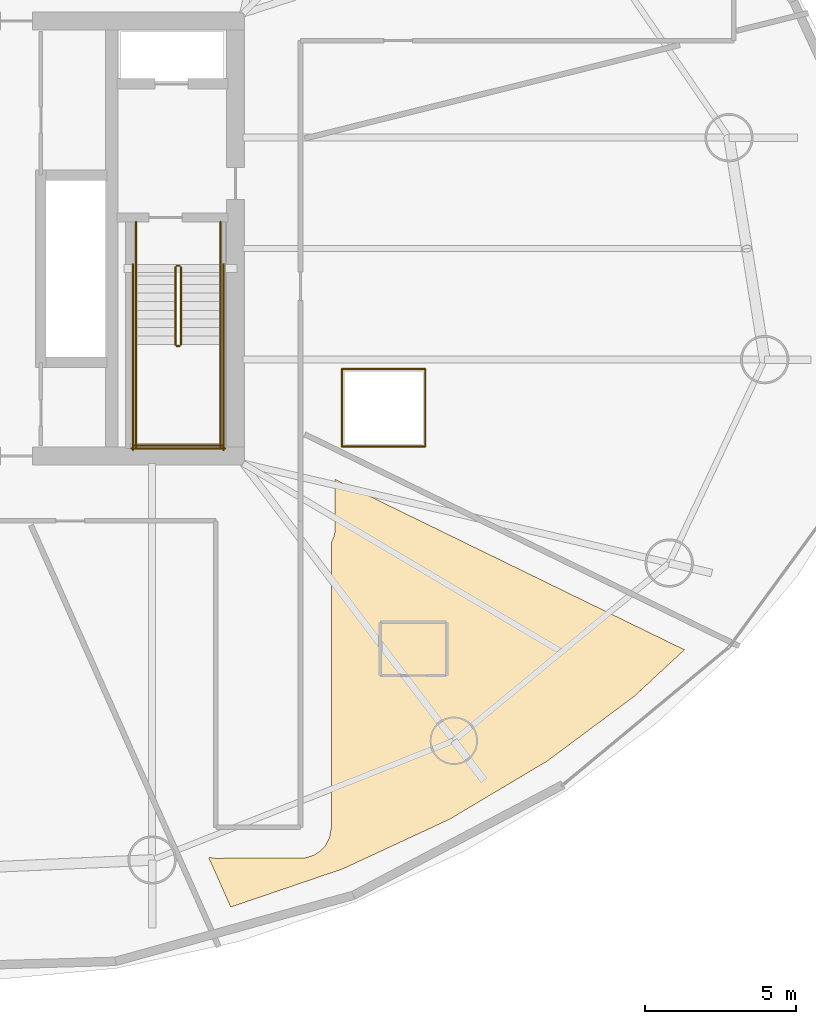
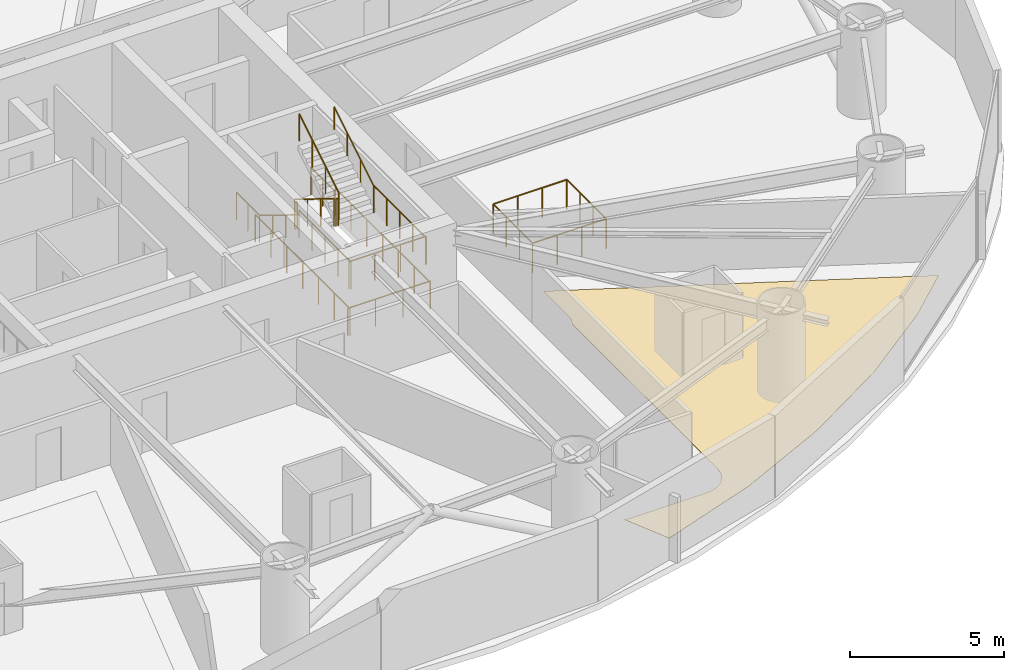
# One storey, part 19 of 20: 18 railings, 1 covering.
"""IFC4 building model written with IfcOpenShell, lengths in metres."""

from ifc_helpers import new_model, si_unit, direction, frame, origin, origin_2d, place, context, subcontext, project, spatial, polyline, circle, outline, extrude, material, layer, layer_set, type_object, element, save


model = new_model("IFC4")

# Units and contexts
model_context = context("Model", 3, precision=1e-05, world=origin(), true_north=direction((0.0, 1.0)))
body_context = subcontext(model_context, "Body", "Model", "MODEL_VIEW")
ifc_project = project(units=[si_unit("LENGTHUNIT", "METRE"), si_unit("AREAUNIT", "SQUARE_METRE"), si_unit("VOLUMEUNIT", "CUBIC_METRE"), si_unit("PLANEANGLEUNIT", "RADIAN"), si_unit("MASSUNIT", "GRAM", prefix="KILO")], contexts=[model_context])

# Site, building, storey
site_placement = place(None, origin())
site = spatial("IfcSite", under=ifc_project, at=site_placement, CompositionType="ELEMENT")
building_placement = place(site_placement, origin())
building = spatial("IfcBuilding", under=site, at=building_placement, Name="Bramvorn Convention Spire", CompositionType="ELEMENT")
storey_placement = place(building_placement, frame((0.0, 0.0, 58.89990234375)))
storey = spatial("IfcBuildingStorey", under=building, at=storey_placement, Name="L12", CompositionType="ELEMENT", Elevation=58.89990234375)

# Covering
ifc_material_1 = material(Name="Solution-Dyed Wool Broadloom Hospitality Carpet", Category="textile")
ifc_layer = layer(ifc_material_1, 0.014892578125)
ifc_layer_set = layer_set([ifc_layer], Name="Solution-Dyed Wool Broadloom Hospitality Carpet - FLR-CARPET-15")
covering_type = type_object("IfcCoveringType", Name="FLR-CARPET-15", PredefinedType="FLOORING", material=ifc_layer_set)
covering_placement = place(storey_placement, origin())
element("IfcCovering", 1, at=covering_placement, inside=storey, type_object=covering_type, Name="Hotel Suite 1209 wool broadloom carpet", PredefinedType="FLOORING", context=body_context, shape_type="SweptSolid", body=[
    extrude(outline(polyline([(48.83984375, 3.865966796875), (52.552001953125, 5.129638671875), (56.081787109375, 6.76953125), (59.31689453125, 8.69677734375), (62.193603515625, 10.836181640625), (63.86279296875, 12.384521484375), (52.300048828125, 18.024169921875), (52.295654296875, 16.311767578125), (52.26123046875, 16.138671875), (52.169921875, 15.936279296875), (52.169921875, 6.5), (52.1123046875, 6.162109375), (51.97265625, 5.897216796875), (51.83056640625, 5.740478515625), (51.59130859375, 5.58056640625), (51.305419921875, 5.491943359375), (48.35009765625, 5.47998046875), (48.1083984375, 5.50927734375), (48.83984375, 3.865966796875)])), origin(), (0.0, 0.0, 1.0), 0.01513671875),
])

# Railings
ifc_material_2 = material(Name="Warm Bronze Perforated Metal & Glass Balustrade", Category="glass")
railing_type_1 = type_object("IfcRailingType", Name="RL-POD-BALUSTRADE-1200", PredefinedType="BALUSTRADE", material=ifc_material_2)
railing_1_placement = place(storey_placement, frame((52.52001953125, 19.1201171875, 0.0)))
element("IfcRailing", 2, at=railing_1_placement, inside=storey, type_object=railing_type_1, Name="L12 Feature atrium void balustrade 1", PredefinedType="BALUSTRADE", context=body_context, shape_type="SweptSolid", body=[
    extrude(circle(Radius=0.02392578125, at=origin_2d()), frame((0.0, 0.0, 1.17578125), z_axis=(1.0, 0.0, 0.0), x_axis=(0.0, 1.0, 0.0)), (0.0, 0.0, 1.0), 2.760009765625),
    extrude(circle(Radius=0.02099609375, at=origin_2d()), origin(), (0.0, 0.0, 1.0), 1.15185546875),
    extrude(circle(Radius=0.02099609375, at=origin_2d()), frame((0.919921875, 0.0, 0.0)), (0.0, 0.0, 1.0), 1.15185546875),
    extrude(circle(Radius=0.02099609375, at=origin_2d()), frame((1.840087890625, 0.0, 0.0)), (0.0, 0.0, 1.0), 1.15185546875),
    extrude(circle(Radius=0.02099609375, at=origin_2d()), frame((2.760009765625, 0.0, 0.0)), (0.0, 0.0, 1.0), 1.15185546875),
])
railing_2_placement = place(storey_placement, frame((55.280029296875, 19.1201171875, 0.0)))
element("IfcRailing", 3, at=railing_2_placement, inside=storey, type_object=railing_type_1, Name="L12 Feature atrium void balustrade 2", PredefinedType="BALUSTRADE", context=body_context, shape_type="SweptSolid", body=[
    extrude(circle(Radius=0.02392578125, at=origin_2d()), frame((0.0, 0.0, 1.17578125), z_axis=(0.0, 1.0, 0.0), x_axis=(-1.0, 0.0, 0.0)), (0.0, 0.0, 1.0), 2.559814453125),
    extrude(circle(Radius=0.02099609375, at=origin_2d()), origin(), (0.0, 0.0, 1.0), 1.15185546875),
    extrude(circle(Radius=0.02099609375, at=origin_2d()), frame((0.0, 0.853271484375, 0.0)), (0.0, 0.0, 1.0), 1.15185546875),
    extrude(circle(Radius=0.02099609375, at=origin_2d()), frame((0.0, 1.70654296875, 0.0)), (0.0, 0.0, 1.0), 1.15185546875),
    extrude(circle(Radius=0.02099609375, at=origin_2d()), frame((0.0, 2.559814453125, 0.0)), (0.0, 0.0, 1.0), 1.15185546875),
])
railing_3_placement = place(storey_placement, frame((55.280029296875, 21.679931640625, 0.0)))
element("IfcRailing", 4, at=railing_3_placement, inside=storey, type_object=railing_type_1, Name="L12 Feature atrium void balustrade 3", PredefinedType="BALUSTRADE", context=body_context, shape_type="SweptSolid", body=[
    extrude(circle(Radius=0.02392578125, at=origin_2d()), frame((0.0, 0.0, 1.17578125), z_axis=(-1.0, 0.0, 0.0), x_axis=(0.0, -1.0, 0.0)), (0.0, 0.0, 1.0), 2.760009765625),
    extrude(circle(Radius=0.02099609375, at=origin_2d()), origin(), (0.0, 0.0, 1.0), 1.15185546875),
    extrude(circle(Radius=0.02099609375, at=origin_2d()), frame((-0.919921875, 0.0, 0.0)), (0.0, 0.0, 1.0), 1.15185546875),
    extrude(circle(Radius=0.02099609375, at=origin_2d()), frame((-1.840087890625, 0.0, 0.0)), (0.0, 0.0, 1.0), 1.15185546875),
    extrude(circle(Radius=0.02099609375, at=origin_2d()), frame((-2.760009765625, 0.0, 0.0)), (0.0, 0.0, 1.0), 1.15185546875),
])
railing_4_placement = place(storey_placement, frame((52.52001953125, 21.679931640625, 0.0)))
element("IfcRailing", 5, at=railing_4_placement, inside=storey, type_object=railing_type_1, Name="L12 Feature atrium void balustrade 4", PredefinedType="BALUSTRADE", context=body_context, shape_type="SweptSolid", body=[
    extrude(circle(Radius=0.02392578125, at=origin_2d()), frame((0.0, 0.0, 1.17578125), z_axis=(0.0, -1.0, 0.0), x_axis=(1.0, 0.0, 0.0)), (0.0, 0.0, 1.0), 2.559814453125),
    extrude(circle(Radius=0.02099609375, at=origin_2d()), origin(), (0.0, 0.0, 1.0), 1.15185546875),
    extrude(circle(Radius=0.02099609375, at=origin_2d()), frame((0.0, -0.853271484375, 0.0)), (0.0, 0.0, 1.0), 1.15185546875),
    extrude(circle(Radius=0.02099609375, at=origin_2d()), frame((0.0, -1.70654296875, 0.0)), (0.0, 0.0, 1.0), 1.15185546875),
    extrude(circle(Radius=0.02099609375, at=origin_2d()), frame((0.0, -2.559814453125, 0.0)), (0.0, 0.0, 1.0), 1.15185546875),
])
ifc_material_3 = material(Name="Painted Steel Balustrade & Guardrail", Category="steel")
railing_type_2 = type_object("IfcRailingType", Name="RL-STAIR-GUARD-1100", PredefinedType="GUARDRAIL", material=ifc_material_3)
railing_5_placement = place(storey_placement, frame((47.010009765625, 25.050048828125, 0.175048828125)))
element("IfcRailing", 6, at=railing_5_placement, inside=storey, type_object=railing_type_2, Name="L12 ST2 stair guard 1", PredefinedType="GUARDRAIL", context=body_context, shape_type="SweptSolid", body=[
    extrude(circle(Radius=0.02392578125, at=origin_2d()), frame((0.0, 0.0, 1.076171875), z_axis=(0.0, -0.852173129349, 0.523259933127), x_axis=(1.0, 0.0, 0.0)), (0.0, 0.0, 1.0), 3.009765625),
    extrude(circle(Radius=0.02099609375, at=origin_2d()), origin(), (0.0, 0.0, 1.0), 1.052001953125),
    extrude(circle(Radius=0.02099609375, at=origin_2d()), frame((0.0, -0.85498046875, 0.52490234375)), (0.0, 0.0, 1.0), 1.052001953125),
    extrude(circle(Radius=0.02099609375, at=origin_2d()), frame((0.0, -1.7099609375, 1.050048828125)), (0.0, 0.0, 1.0), 1.052001953125),
    extrude(circle(Radius=0.02099609375, at=origin_2d()), frame((0.0, -2.56494140625, 1.574951171875)), (0.0, 0.0, 1.0), 1.052001953125),
])
railing_6_placement = place(storey_placement, frame((47.06005859375, 22.43505859375, 1.75)))
element("IfcRailing", 7, at=railing_6_placement, inside=storey, type_object=railing_type_2, Name="L12 ST2 stair guard 2", PredefinedType="GUARDRAIL", context=body_context, shape_type="SweptSolid", body=[
    extrude(circle(Radius=0.02392578125, at=origin_2d()), frame((0.0, 0.0, 1.076171875), z_axis=(1.0, 0.0, 0.0), x_axis=(0.0, 1.0, 0.0)), (0.0, 0.0, 1.0), 0.079833984375),
    extrude(circle(Radius=0.02099609375, at=origin_2d()), origin(), (0.0, 0.0, 1.0), 1.052001953125),
    extrude(circle(Radius=0.02099609375, at=origin_2d()), frame((0.079833984375, 0.0, 0.0)), (0.0, 0.0, 1.0), 1.052001953125),
])
for number, where, name in (
    (8, (45.699951171875, 22.485107421875, 1.75), "L12 ST2 stair guard 3"),
    (9, (48.5, 22.485107421875, 1.75), "L12 ST2 stair guard 4"),
):
    element("IfcRailing", number, at=place(storey_placement, frame(where)), inside=storey, type_object=railing_type_2, Name=name, PredefinedType="GUARDRAIL", context=body_context, shape_type="SweptSolid", body=[
        extrude(circle(Radius=0.02392578125, at=origin_2d()), frame((0.0, 0.0, 1.076171875), z_axis=(0.0, -1.0, 0.0), x_axis=(1.0, 0.0, 0.0)), (0.0, 0.0, 1.0), 3.385009765625),
        extrude(circle(Radius=0.02099609375, at=origin_2d()), origin(), (0.0, 0.0, 1.0), 1.052001953125),
        extrude(circle(Radius=0.02099609375, at=origin_2d()), frame((0.0, -0.84619140625, 0.0)), (0.0, 0.0, 1.0), 1.052001953125),
        extrude(circle(Radius=0.02099609375, at=origin_2d()), frame((0.0, -1.6923828125, 0.0)), (0.0, 0.0, 1.0), 1.052001953125),
        extrude(circle(Radius=0.02099609375, at=origin_2d()), frame((0.0, -2.538818359375, 0.0)), (0.0, 0.0, 1.0), 1.052001953125),
        extrude(circle(Radius=0.02099609375, at=origin_2d()), frame((0.0, -3.385009765625, 0.0)), (0.0, 0.0, 1.0), 1.052001953125),
    ])
railing_7_placement = place(storey_placement, frame((45.64990234375, 19.14990234375, 1.75)))
element("IfcRailing", 10, at=railing_7_placement, inside=storey, type_object=railing_type_2, Name="L12 ST2 stair guard 5", PredefinedType="GUARDRAIL", context=body_context, shape_type="SweptSolid", body=[
    extrude(circle(Radius=0.02392578125, at=origin_2d()), frame((0.0, 0.0, 1.076171875), z_axis=(1.0, 0.0, 0.0), x_axis=(0.0, 1.0, 0.0)), (0.0, 0.0, 1.0), 2.900146484375),
    extrude(circle(Radius=0.02099609375, at=origin_2d()), origin(), (0.0, 0.0, 1.0), 1.052001953125),
    extrude(circle(Radius=0.02099609375, at=origin_2d()), frame((0.966796875, 0.0, 0.0)), (0.0, 0.0, 1.0), 1.052001953125),
    extrude(circle(Radius=0.02099609375, at=origin_2d()), frame((1.933349609375, 0.0, 0.0)), (0.0, 0.0, 1.0), 1.052001953125),
    extrude(circle(Radius=0.02099609375, at=origin_2d()), frame((2.900146484375, 0.0, 0.0)), (0.0, 0.0, 1.0), 1.052001953125),
])
railing_8_placement = place(storey_placement, frame((47.18994140625, 22.485107421875, 1.925048828125)))
element("IfcRailing", 11, at=railing_8_placement, inside=storey, type_object=railing_type_2, Name="L12 ST2 stair guard 6", PredefinedType="GUARDRAIL", context=body_context, shape_type="SweptSolid", body=[
    extrude(circle(Radius=0.02392578125, at=origin_2d()), frame((0.0, 0.0, 1.076171875), z_axis=(0.0, 0.852173129349, 0.523259933127), x_axis=(-1.0, 0.0, 0.0)), (0.0, 0.0, 1.0), 3.009765625),
    extrude(circle(Radius=0.02099609375, at=origin_2d()), origin(), (0.0, 0.0, 1.0), 1.052001953125),
    extrude(circle(Radius=0.02099609375, at=origin_2d()), frame((0.0, 0.85498046875, 0.52490234375)), (0.0, 0.0, 1.0), 1.052001953125),
    extrude(circle(Radius=0.02099609375, at=origin_2d()), frame((0.0, 1.7099609375, 1.050048828125)), (0.0, 0.0, 1.0), 1.052001953125),
    extrude(circle(Radius=0.02099609375, at=origin_2d()), frame((0.0, 2.56494140625, 1.574951171875)), (0.0, 0.0, 1.0), 1.052001953125),
])
railing_9_placement = place(storey_placement, frame((47.06005859375, 25.10009765625, 0.0)))
element("IfcRailing", 12, at=railing_9_placement, inside=storey, type_object=railing_type_2, Name="L12 ST2 stair guard 7", PredefinedType="GUARDRAIL", context=body_context, shape_type="SweptSolid", body=[
    extrude(circle(Radius=0.02392578125, at=origin_2d()), frame((0.0, 0.0, 1.076171875), z_axis=(1.0, 0.0, 0.0), x_axis=(0.0, 1.0, 0.0)), (0.0, 0.0, 1.0), 0.079833984375),
    extrude(circle(Radius=0.02099609375, at=origin_2d()), origin(), (0.0, 0.0, 1.0), 1.052001953125),
    extrude(circle(Radius=0.02099609375, at=origin_2d()), frame((0.079833984375, 0.0, 0.0)), (0.0, 0.0, 1.0), 1.052001953125),
])
for number, where, name in (
    (13, (45.699951171875, 26.550048828125, 0.0), "L12 ST2 stair guard 8"),
    (14, (48.5, 26.550048828125, 0.0), "L12 ST2 stair guard 9"),
):
    element("IfcRailing", number, at=place(storey_placement, frame(where)), inside=storey, type_object=railing_type_2, Name=name, PredefinedType="GUARDRAIL", context=body_context, shape_type="SweptSolid", body=[
        extrude(circle(Radius=0.02392578125, at=origin_2d()), frame((0.0, 0.0, 1.076171875), z_axis=(0.0, -1.0, 0.0), x_axis=(1.0, 0.0, 0.0)), (0.0, 0.0, 1.0), 1.5),
        extrude(circle(Radius=0.02099609375, at=origin_2d()), origin(), (0.0, 0.0, 1.0), 1.052001953125),
        extrude(circle(Radius=0.02099609375, at=origin_2d()), frame((0.0, -0.75, 0.0)), (0.0, 0.0, 1.0), 1.052001953125),
        extrude(circle(Radius=0.02099609375, at=origin_2d()), frame((0.0, -1.5, 0.0)), (0.0, 0.0, 1.0), 1.052001953125),
    ])
for number, where, name in (
    (15, (45.60009765625, 25.14990234375, 0.0), "L12 ST2 stair guard 10"),
    (16, (48.60009765625, 25.14990234375, 0.0), "L12 ST2 stair guard 11"),
):
    element("IfcRailing", number, at=place(storey_placement, frame(where)), inside=storey, type_object=railing_type_2, Name=name, PredefinedType="GUARDRAIL", context=body_context, shape_type="SweptSolid", body=[
        extrude(circle(Radius=0.02392578125, at=origin_2d()), frame((0.0, 0.0, 1.076171875), z_axis=(0.0, -1.0, 0.0), x_axis=(1.0, 0.0, 0.0)), (0.0, 0.0, 1.0), 6.14990234375),
        extrude(circle(Radius=0.02099609375, at=origin_2d()), origin(), (0.0, 0.0, 1.0), 1.052001953125),
        extrude(circle(Radius=0.02099609375, at=origin_2d()), frame((0.0, -1.02490234375, 0.0)), (0.0, 0.0, 1.0), 1.052001953125),
        extrude(circle(Radius=0.02099609375, at=origin_2d()), frame((0.0, -2.050048828125, 0.0)), (0.0, 0.0, 1.0), 1.052001953125),
        extrude(circle(Radius=0.02099609375, at=origin_2d()), frame((0.0, -3.074951171875, 0.0)), (0.0, 0.0, 1.0), 1.052001953125),
        extrude(circle(Radius=0.02099609375, at=origin_2d()), frame((0.0, -4.099853515625, 0.0)), (0.0, 0.0, 1.0), 1.052001953125),
        extrude(circle(Radius=0.02099609375, at=origin_2d()), frame((0.0, -5.125, 0.0)), (0.0, 0.0, 1.0), 1.052001953125),
        extrude(circle(Radius=0.02099609375, at=origin_2d()), frame((0.0, -6.14990234375, 0.0)), (0.0, 0.0, 1.0), 1.052001953125),
    ])
railing_10_placement = place(storey_placement, frame((45.550048828125, 19.050048828125, 0.0)))
element("IfcRailing", 17, at=railing_10_placement, inside=storey, type_object=railing_type_2, Name="L12 ST2 stair guard 12", PredefinedType="GUARDRAIL", context=body_context, shape_type="SweptSolid", body=[
    extrude(circle(Radius=0.02392578125, at=origin_2d()), frame((0.0, 0.0, 1.076171875), z_axis=(1.0, 0.0, 0.0), x_axis=(0.0, 1.0, 0.0)), (0.0, 0.0, 1.0), 3.099853515625),
    extrude(circle(Radius=0.02099609375, at=origin_2d()), origin(), (0.0, 0.0, 1.0), 1.052001953125),
    extrude(circle(Radius=0.02099609375, at=origin_2d()), frame((1.033203125, 0.0, 0.0)), (0.0, 0.0, 1.0), 1.052001953125),
    extrude(circle(Radius=0.02099609375, at=origin_2d()), frame((2.066650390625, 0.0, 0.0)), (0.0, 0.0, 1.0), 1.052001953125),
    extrude(circle(Radius=0.02099609375, at=origin_2d()), frame((3.099853515625, 0.0, 0.0)), (0.0, 0.0, 1.0), 1.052001953125),
])
ifc_material_4 = material(Name="Brushed Bronze Tubular Handrail", Category="aluminium")
railing_type_3 = type_object("IfcRailingType", Name="RL-STAIR-HR-920", PredefinedType="HANDRAIL", material=ifc_material_4)
railing_11_placement = place(storey_placement, frame((45.699951171875, 25.050048828125, 0.175048828125)))
element("IfcRailing", 18, at=railing_11_placement, inside=storey, type_object=railing_type_3, Name="L12 ST2 stair handrail 1", PredefinedType="HANDRAIL", context=body_context, shape_type="SweptSolid", body=[
    extrude(circle(Radius=0.02392578125, at=origin_2d()), frame((0.0, 0.0, 0.89599609375), z_axis=(0.0, -0.852173129349, 0.523259933127), x_axis=(1.0, 0.0, 0.0)), (0.0, 0.0, 1.0), 3.009765625),
    extrude(circle(Radius=0.02099609375, at=origin_2d()), origin(), (0.0, 0.0, 1.0), 0.871826171875),
    extrude(circle(Radius=0.02099609375, at=origin_2d()), frame((0.0, -0.85498046875, 0.52490234375)), (0.0, 0.0, 1.0), 0.871826171875),
    extrude(circle(Radius=0.02099609375, at=origin_2d()), frame((0.0, -1.7099609375, 1.050048828125)), (0.0, 0.0, 1.0), 0.871826171875),
    extrude(circle(Radius=0.02099609375, at=origin_2d()), frame((0.0, -2.56494140625, 1.574951171875)), (0.0, 0.0, 1.0), 0.871826171875),
])
railing_12_placement = place(storey_placement, frame((48.5, 22.485107421875, 1.925048828125)))
element("IfcRailing", 19, at=railing_12_placement, inside=storey, type_object=railing_type_3, Name="L12 ST2 stair handrail 2", PredefinedType="HANDRAIL", context=body_context, shape_type="SweptSolid", body=[
    extrude(circle(Radius=0.02392578125, at=origin_2d()), frame((0.0, 0.0, 0.89599609375), z_axis=(0.0, 0.852173129349, 0.523259933127), x_axis=(-1.0, 0.0, 0.0)), (0.0, 0.0, 1.0), 3.009765625),
    extrude(circle(Radius=0.02099609375, at=origin_2d()), origin(), (0.0, 0.0, 1.0), 0.871826171875),
    extrude(circle(Radius=0.02099609375, at=origin_2d()), frame((0.0, 0.85498046875, 0.52490234375)), (0.0, 0.0, 1.0), 0.871826171875),
    extrude(circle(Radius=0.02099609375, at=origin_2d()), frame((0.0, 1.7099609375, 1.050048828125)), (0.0, 0.0, 1.0), 0.871826171875),
    extrude(circle(Radius=0.02099609375, at=origin_2d()), frame((0.0, 2.56494140625, 1.574951171875)), (0.0, 0.0, 1.0), 0.871826171875),
])

save(model, "model.ifc")
